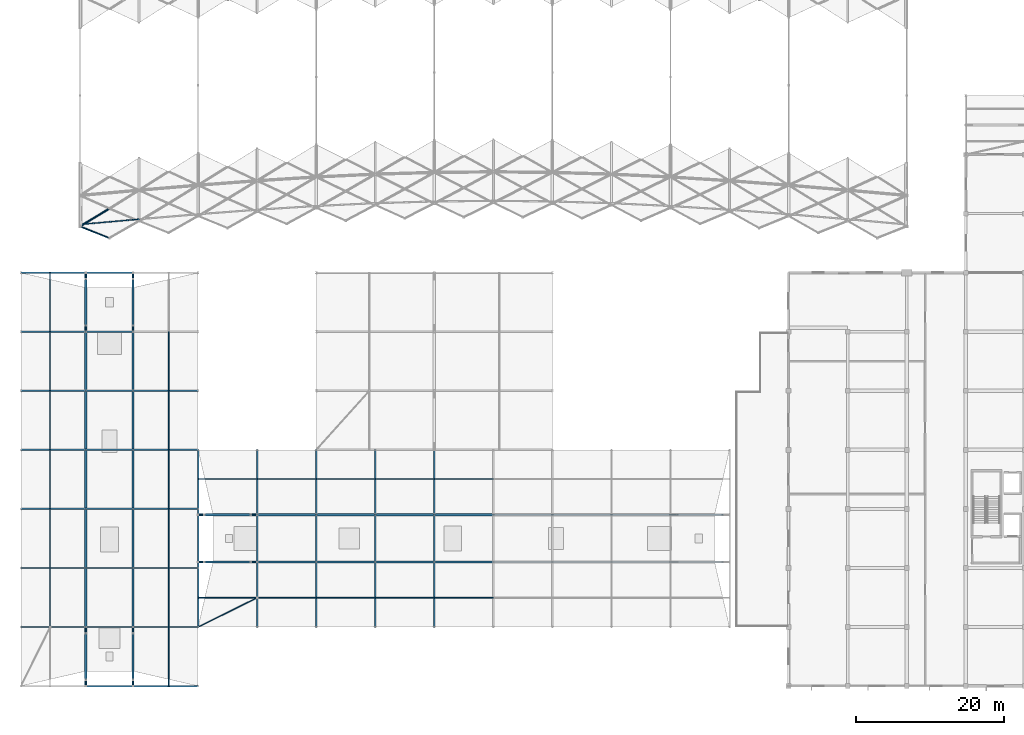
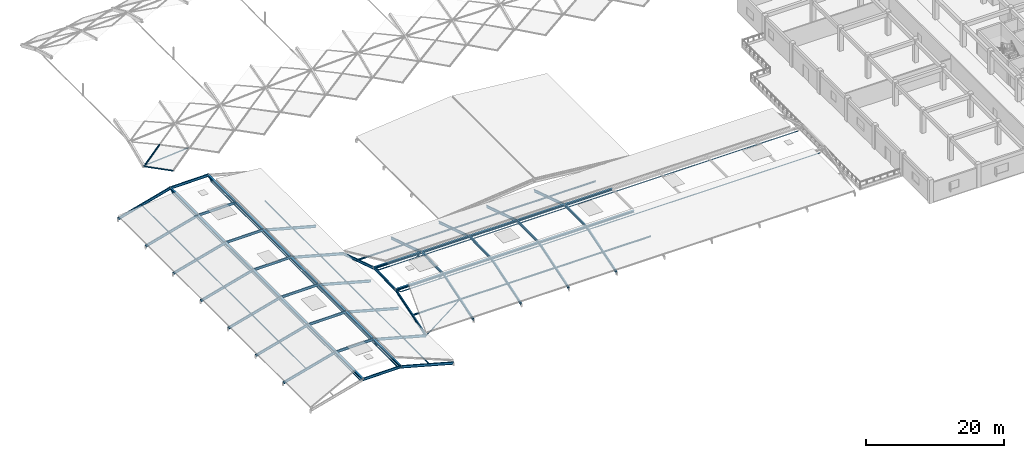
# One storey, part 2 of 54: 66 members, 36 beams.
"""IFC4 building model written with IfcOpenShell, lengths in metres."""

from ifc_helpers import new_model, si_unit, direction, frame, origin, origin_2d, place, context, subcontext, project, spatial, hollow_rectangle, hollow_circle, i_section, extrude, material, material_profile, profile_set, type_object, element, save


model = new_model("IFC4")

# Units and contexts
model_context = context("Model", 3, precision=1e-05, world=origin(), true_north=direction((0.0, 1.0)))
body_context = subcontext(model_context, "Body", "Model", "MODEL_VIEW")
ifc_project = project(units=[si_unit("LENGTHUNIT", "METRE"), si_unit("AREAUNIT", "SQUARE_METRE"), si_unit("VOLUMEUNIT", "CUBIC_METRE"), si_unit("PLANEANGLEUNIT", "RADIAN"), si_unit("MASSUNIT", "GRAM", prefix="KILO")], contexts=[model_context])

# Site, building, storey
site_placement = place(None, origin())
site = spatial("IfcSite", under=ifc_project, at=site_placement, CompositionType="ELEMENT")
building_placement = place(site_placement, origin())
building = spatial("IfcBuilding", under=site, at=building_placement, Name="Kenh Van Central Station", CompositionType="ELEMENT")
storey_placement = place(building_placement, frame((0.0, 0.0, 15.0)))
storey = spatial("IfcBuildingStorey", under=building, at=storey_placement, Name="L03", CompositionType="ELEMENT", Elevation=15.0)

# Beams
ifc_material_1 = material(Name="Steel S355", Category="steel")
ifc_material_profile_1 = material_profile(ifc_material_1, i_section(OverallWidth=0.18994140625, OverallDepth=0.449951171875, WebThickness=0.009521484375, FlangeThickness=0.0146484375, FilletRadius=0.02099609375, at=origin_2d()), Name="IPE 450")
ifc_profile_set_1 = profile_set([ifc_material_profile_1], Name="Steel S355")
beam_type = type_object("IfcBeamType", Name="BM-STL-IPE450", PredefinedType="BEAM", material=ifc_profile_set_1)
beam_1_placement = place(storey_placement, frame((48.0, 16.0, -0.501708984375), z_axis=(0.0, 0.952924738396, 0.30320693091), x_axis=(-1.0, 0.0, 0.0)))
element("IfcBeam", 1, at=beam_1_placement, inside=storey, type_object=beam_type, Name="L03 roof rafter 042", PredefinedType="BEAM", context=body_context, shape_type="SweptSolid", body=[
    extrude(i_section(OverallWidth=0.18994140625, OverallDepth=0.449951171875, WebThickness=0.009521484375, FlangeThickness=0.0146484375, FilletRadius=0.02099609375, at=origin_2d()), origin(), (0.0, 0.0, 1.0), 9.23486328125),
])
beam_2_placement = place(storey_placement, frame((48.0, 24.800048828125, 2.29833984375), z_axis=(0.0, 0.999937113546, 0.011214675799), x_axis=(-1.0, 0.0, 0.0)))
element("IfcBeam", 2, at=beam_2_placement, inside=storey, type_object=beam_type, Name="L03 roof rafter 043", PredefinedType="BEAM", context=body_context, shape_type="SweptSolid", body=[
    extrude(i_section(OverallWidth=0.18994140625, OverallDepth=0.449951171875, WebThickness=0.009521484375, FlangeThickness=0.0146484375, FilletRadius=0.02099609375, at=origin_2d()), origin(), (0.0, 0.0, 1.0), 6.400390625),
])
for number, where, z_axis, x_axis, name in (
    (3, (48.0, 31.199951171875, 2.29833984375), (0.0, 0.952924738396, -0.30320693091), (-1.0, 0.0, 0.0), "L03 roof rafter 044"),
    (4, (56.0, 16.0, -0.501708984375), (0.0, 0.952924738396, 0.30320693091), (-1.0, 0.0, 0.0), "L03 roof rafter 045"),
):
    element("IfcBeam", number, at=place(storey_placement, frame(where, z_axis=z_axis, x_axis=x_axis)), inside=storey, type_object=beam_type, Name=name, PredefinedType="BEAM", context=body_context, shape_type="SweptSolid", body=[
        extrude(i_section(OverallWidth=0.18994140625, OverallDepth=0.449951171875, WebThickness=0.009521484375, FlangeThickness=0.0146484375, FilletRadius=0.02099609375, at=origin_2d()), origin(), (0.0, 0.0, 1.0), 9.23486328125),
    ])
beam_3_placement = place(storey_placement, frame((56.0, 24.800048828125, 2.29833984375), z_axis=(0.0, 0.999937113546, 0.011214675799), x_axis=(-1.0, 0.0, 0.0)))
element("IfcBeam", 5, at=beam_3_placement, inside=storey, type_object=beam_type, Name="L03 roof rafter 046", PredefinedType="BEAM", context=body_context, shape_type="SweptSolid", body=[
    extrude(i_section(OverallWidth=0.18994140625, OverallDepth=0.449951171875, WebThickness=0.009521484375, FlangeThickness=0.0146484375, FilletRadius=0.02099609375, at=origin_2d()), origin(), (0.0, 0.0, 1.0), 6.400390625),
])
for number, where, z_axis, x_axis, name in (
    (6, (56.0, 31.199951171875, 2.29833984375), (0.0, 0.952924738396, -0.30320693091), (-1.0, 0.0, 0.0), "L03 roof rafter 047"),
    (7, (64.0, 16.0, -0.501708984375), (0.0, 0.952924738396, 0.30320693091), (-1.0, 0.0, 0.0), "L03 roof rafter 048"),
):
    element("IfcBeam", number, at=place(storey_placement, frame(where, z_axis=z_axis, x_axis=x_axis)), inside=storey, type_object=beam_type, Name=name, PredefinedType="BEAM", context=body_context, shape_type="SweptSolid", body=[
        extrude(i_section(OverallWidth=0.18994140625, OverallDepth=0.449951171875, WebThickness=0.009521484375, FlangeThickness=0.0146484375, FilletRadius=0.02099609375, at=origin_2d()), origin(), (0.0, 0.0, 1.0), 9.23486328125),
    ])
beam_4_placement = place(storey_placement, frame((64.0, 24.800048828125, 2.29833984375), z_axis=(0.0, 0.999937113546, 0.011214675799), x_axis=(-1.0, 0.0, 0.0)))
element("IfcBeam", 8, at=beam_4_placement, inside=storey, type_object=beam_type, Name="L03 roof rafter 049", PredefinedType="BEAM", context=body_context, shape_type="SweptSolid", body=[
    extrude(i_section(OverallWidth=0.18994140625, OverallDepth=0.449951171875, WebThickness=0.009521484375, FlangeThickness=0.0146484375, FilletRadius=0.02099609375, at=origin_2d()), origin(), (0.0, 0.0, 1.0), 6.400390625),
])
for number, where, z_axis, x_axis, name in (
    (9, (64.0, 31.199951171875, 2.29833984375), (0.0, 0.952924738396, -0.30320693091), (-1.0, 0.0, 0.0), "L03 roof rafter 050"),
    (10, (72.0, 16.0, -0.501708984375), (0.0, 0.952924738396, 0.30320693091), (-1.0, 0.0, 0.0), "L03 roof rafter 051"),
):
    element("IfcBeam", number, at=place(storey_placement, frame(where, z_axis=z_axis, x_axis=x_axis)), inside=storey, type_object=beam_type, Name=name, PredefinedType="BEAM", context=body_context, shape_type="SweptSolid", body=[
        extrude(i_section(OverallWidth=0.18994140625, OverallDepth=0.449951171875, WebThickness=0.009521484375, FlangeThickness=0.0146484375, FilletRadius=0.02099609375, at=origin_2d()), origin(), (0.0, 0.0, 1.0), 9.23486328125),
    ])
beam_5_placement = place(storey_placement, frame((72.0, 24.800048828125, 2.29833984375), z_axis=(0.0, 0.999937113546, 0.011214675799), x_axis=(-1.0, 0.0, 0.0)))
element("IfcBeam", 11, at=beam_5_placement, inside=storey, type_object=beam_type, Name="L03 roof rafter 052", PredefinedType="BEAM", context=body_context, shape_type="SweptSolid", body=[
    extrude(i_section(OverallWidth=0.18994140625, OverallDepth=0.449951171875, WebThickness=0.009521484375, FlangeThickness=0.0146484375, FilletRadius=0.02099609375, at=origin_2d()), origin(), (0.0, 0.0, 1.0), 6.400390625),
])
for number, where, z_axis, x_axis, name in (
    (12, (72.0, 31.199951171875, 2.29833984375), (0.0, 0.952924738396, -0.30320693091), (-1.0, 0.0, 0.0), "L03 roof rafter 053"),
    (13, (80.0, 16.0, -0.501708984375), (0.0, 0.952924738396, 0.30320693091), (-1.0, 0.0, 0.0), "L03 roof rafter 054"),
):
    element("IfcBeam", number, at=place(storey_placement, frame(where, z_axis=z_axis, x_axis=x_axis)), inside=storey, type_object=beam_type, Name=name, PredefinedType="BEAM", context=body_context, shape_type="SweptSolid", body=[
        extrude(i_section(OverallWidth=0.18994140625, OverallDepth=0.449951171875, WebThickness=0.009521484375, FlangeThickness=0.0146484375, FilletRadius=0.02099609375, at=origin_2d()), origin(), (0.0, 0.0, 1.0), 9.23486328125),
    ])
beam_6_placement = place(storey_placement, frame((80.0, 24.800048828125, 2.29833984375), z_axis=(0.0, 0.999937113546, 0.011214675799), x_axis=(-1.0, 0.0, 0.0)))
element("IfcBeam", 14, at=beam_6_placement, inside=storey, type_object=beam_type, Name="L03 roof rafter 055", PredefinedType="BEAM", context=body_context, shape_type="SweptSolid", body=[
    extrude(i_section(OverallWidth=0.18994140625, OverallDepth=0.449951171875, WebThickness=0.009521484375, FlangeThickness=0.0146484375, FilletRadius=0.02099609375, at=origin_2d()), origin(), (0.0, 0.0, 1.0), 6.400390625),
])
beam_7_placement = place(storey_placement, frame((80.0, 31.199951171875, 2.29833984375), z_axis=(0.0, 0.952924738396, -0.30320693091), x_axis=(-1.0, 0.0, 0.0)))
element("IfcBeam", 15, at=beam_7_placement, inside=storey, type_object=beam_type, Name="L03 roof rafter 056", PredefinedType="BEAM", context=body_context, shape_type="SweptSolid", body=[
    extrude(i_section(OverallWidth=0.18994140625, OverallDepth=0.449951171875, WebThickness=0.009521484375, FlangeThickness=0.0146484375, FilletRadius=0.02099609375, at=origin_2d()), origin(), (0.0, 0.0, 1.0), 9.23486328125),
])
beam_8_placement = place(storey_placement, frame((32.800048828125, 8.0, 1.91943359375), z_axis=(0.999947352994, 0.0, 0.010261151978), x_axis=(0.0, 1.0, 0.0)))
element("IfcBeam", 16, at=beam_8_placement, inside=storey, type_object=beam_type, Name="L03 roof rafter 098", PredefinedType="BEAM", context=body_context, shape_type="SweptSolid", body=[
    extrude(i_section(OverallWidth=0.18994140625, OverallDepth=0.449951171875, WebThickness=0.009521484375, FlangeThickness=0.0146484375, FilletRadius=0.02099609375, at=origin_2d()), origin(), (0.0, 0.0, 1.0), 6.400146484375),
])
for number, where, z_axis, x_axis, name in (
    (17, (39.199951171875, 8.0, 1.91943359375), (0.964766909512, 0.0, -0.263106081856), (0.0, 1.0, 0.0), "L03 roof rafter 099"),
    (18, (24.0, 16.0, -0.48046875), (0.964766909512, 0.0, 0.263106081856), (0.0, 1.0, 0.0), "L03 roof rafter 100"),
):
    element("IfcBeam", number, at=place(storey_placement, frame(where, z_axis=z_axis, x_axis=x_axis)), inside=storey, type_object=beam_type, Name=name, PredefinedType="BEAM", context=body_context, shape_type="SweptSolid", body=[
        extrude(i_section(OverallWidth=0.18994140625, OverallDepth=0.449951171875, WebThickness=0.009521484375, FlangeThickness=0.0146484375, FilletRadius=0.02099609375, at=origin_2d()), origin(), (0.0, 0.0, 1.0), 9.121337890625),
    ])
beam_9_placement = place(storey_placement, frame((32.800048828125, 16.0, 1.91943359375), z_axis=(0.999947352994, 0.0, 0.010261151978), x_axis=(0.0, 1.0, 0.0)))
element("IfcBeam", 19, at=beam_9_placement, inside=storey, type_object=beam_type, Name="L03 roof rafter 101", PredefinedType="BEAM", context=body_context, shape_type="SweptSolid", body=[
    extrude(i_section(OverallWidth=0.18994140625, OverallDepth=0.449951171875, WebThickness=0.009521484375, FlangeThickness=0.0146484375, FilletRadius=0.02099609375, at=origin_2d()), origin(), (0.0, 0.0, 1.0), 6.400146484375),
])
for number, where, z_axis, x_axis, name in (
    (20, (39.199951171875, 16.0, 1.91943359375), (0.964766909512, 0.0, -0.263106081856), (0.0, 1.0, 0.0), "L03 roof rafter 102"),
    (21, (24.0, 24.0, -0.48046875), (0.964766909512, 0.0, 0.263106081856), (0.0, 1.0, 0.0), "L03 roof rafter 103"),
):
    element("IfcBeam", number, at=place(storey_placement, frame(where, z_axis=z_axis, x_axis=x_axis)), inside=storey, type_object=beam_type, Name=name, PredefinedType="BEAM", context=body_context, shape_type="SweptSolid", body=[
        extrude(i_section(OverallWidth=0.18994140625, OverallDepth=0.449951171875, WebThickness=0.009521484375, FlangeThickness=0.0146484375, FilletRadius=0.02099609375, at=origin_2d()), origin(), (0.0, 0.0, 1.0), 9.121337890625),
    ])
beam_10_placement = place(storey_placement, frame((32.800048828125, 24.0, 1.91943359375), z_axis=(0.999947352994, 0.0, 0.010261151978), x_axis=(0.0, 1.0, 0.0)))
element("IfcBeam", 22, at=beam_10_placement, inside=storey, type_object=beam_type, Name="L03 roof rafter 104", PredefinedType="BEAM", context=body_context, shape_type="SweptSolid", body=[
    extrude(i_section(OverallWidth=0.18994140625, OverallDepth=0.449951171875, WebThickness=0.009521484375, FlangeThickness=0.0146484375, FilletRadius=0.02099609375, at=origin_2d()), origin(), (0.0, 0.0, 1.0), 6.400146484375),
])
for number, where, z_axis, x_axis, name in (
    (23, (39.199951171875, 24.0, 1.91943359375), (0.964766909512, 0.0, -0.263106081856), (0.0, 1.0, 0.0), "L03 roof rafter 105"),
    (24, (24.0, 32.0, -0.48046875), (0.964766909512, 0.0, 0.263106081856), (0.0, 1.0, 0.0), "L03 roof rafter 106"),
):
    element("IfcBeam", number, at=place(storey_placement, frame(where, z_axis=z_axis, x_axis=x_axis)), inside=storey, type_object=beam_type, Name=name, PredefinedType="BEAM", context=body_context, shape_type="SweptSolid", body=[
        extrude(i_section(OverallWidth=0.18994140625, OverallDepth=0.449951171875, WebThickness=0.009521484375, FlangeThickness=0.0146484375, FilletRadius=0.02099609375, at=origin_2d()), origin(), (0.0, 0.0, 1.0), 9.121337890625),
    ])
beam_11_placement = place(storey_placement, frame((32.800048828125, 32.0, 1.91943359375), z_axis=(0.999947352994, 0.0, 0.010261151978), x_axis=(0.0, 1.0, 0.0)))
element("IfcBeam", 25, at=beam_11_placement, inside=storey, type_object=beam_type, Name="L03 roof rafter 107", PredefinedType="BEAM", context=body_context, shape_type="SweptSolid", body=[
    extrude(i_section(OverallWidth=0.18994140625, OverallDepth=0.449951171875, WebThickness=0.009521484375, FlangeThickness=0.0146484375, FilletRadius=0.02099609375, at=origin_2d()), origin(), (0.0, 0.0, 1.0), 6.400146484375),
])
for number, where, z_axis, x_axis, name in (
    (26, (39.199951171875, 32.0, 1.91943359375), (0.964766909512, 0.0, -0.263106081856), (0.0, 1.0, 0.0), "L03 roof rafter 108"),
    (27, (24.0, 40.0, -0.48046875), (0.964766909512, 0.0, 0.263106081856), (0.0, 1.0, 0.0), "L03 roof rafter 109"),
):
    element("IfcBeam", number, at=place(storey_placement, frame(where, z_axis=z_axis, x_axis=x_axis)), inside=storey, type_object=beam_type, Name=name, PredefinedType="BEAM", context=body_context, shape_type="SweptSolid", body=[
        extrude(i_section(OverallWidth=0.18994140625, OverallDepth=0.449951171875, WebThickness=0.009521484375, FlangeThickness=0.0146484375, FilletRadius=0.02099609375, at=origin_2d()), origin(), (0.0, 0.0, 1.0), 9.121337890625),
    ])
beam_12_placement = place(storey_placement, frame((32.800048828125, 40.0, 1.91943359375), z_axis=(0.999947352994, 0.0, 0.010261151978), x_axis=(0.0, 1.0, 0.0)))
element("IfcBeam", 28, at=beam_12_placement, inside=storey, type_object=beam_type, Name="L03 roof rafter 110", PredefinedType="BEAM", context=body_context, shape_type="SweptSolid", body=[
    extrude(i_section(OverallWidth=0.18994140625, OverallDepth=0.449951171875, WebThickness=0.009521484375, FlangeThickness=0.0146484375, FilletRadius=0.02099609375, at=origin_2d()), origin(), (0.0, 0.0, 1.0), 6.400146484375),
])
for number, where, z_axis, x_axis, name in (
    (29, (39.199951171875, 40.0, 1.91943359375), (0.964766909512, 0.0, -0.263106081856), (0.0, 1.0, 0.0), "L03 roof rafter 111"),
    (30, (24.0, 48.0, -0.48046875), (0.964766909512, 0.0, 0.263106081856), (0.0, 1.0, 0.0), "L03 roof rafter 112"),
):
    element("IfcBeam", number, at=place(storey_placement, frame(where, z_axis=z_axis, x_axis=x_axis)), inside=storey, type_object=beam_type, Name=name, PredefinedType="BEAM", context=body_context, shape_type="SweptSolid", body=[
        extrude(i_section(OverallWidth=0.18994140625, OverallDepth=0.449951171875, WebThickness=0.009521484375, FlangeThickness=0.0146484375, FilletRadius=0.02099609375, at=origin_2d()), origin(), (0.0, 0.0, 1.0), 9.121337890625),
    ])
beam_13_placement = place(storey_placement, frame((32.800048828125, 48.0, 1.91943359375), z_axis=(0.999947352994, 0.0, 0.010261151978), x_axis=(0.0, 1.0, 0.0)))
element("IfcBeam", 31, at=beam_13_placement, inside=storey, type_object=beam_type, Name="L03 roof rafter 113", PredefinedType="BEAM", context=body_context, shape_type="SweptSolid", body=[
    extrude(i_section(OverallWidth=0.18994140625, OverallDepth=0.449951171875, WebThickness=0.009521484375, FlangeThickness=0.0146484375, FilletRadius=0.02099609375, at=origin_2d()), origin(), (0.0, 0.0, 1.0), 6.400146484375),
])
for number, where, z_axis, x_axis, name in (
    (32, (39.199951171875, 48.0, 1.91943359375), (0.964766909512, 0.0, -0.263106081856), (0.0, 1.0, 0.0), "L03 roof rafter 114"),
    (33, (24.0, 56.0, -0.48046875), (0.964766909512, 0.0, 0.263106081856), (0.0, 1.0, 0.0), "L03 roof rafter 115"),
):
    element("IfcBeam", number, at=place(storey_placement, frame(where, z_axis=z_axis, x_axis=x_axis)), inside=storey, type_object=beam_type, Name=name, PredefinedType="BEAM", context=body_context, shape_type="SweptSolid", body=[
        extrude(i_section(OverallWidth=0.18994140625, OverallDepth=0.449951171875, WebThickness=0.009521484375, FlangeThickness=0.0146484375, FilletRadius=0.02099609375, at=origin_2d()), origin(), (0.0, 0.0, 1.0), 9.121337890625),
    ])
beam_14_placement = place(storey_placement, frame((32.800048828125, 56.0, 1.91943359375), z_axis=(0.999947352994, 0.0, 0.010261151978), x_axis=(0.0, 1.0, 0.0)))
element("IfcBeam", 34, at=beam_14_placement, inside=storey, type_object=beam_type, Name="L03 roof rafter 116", PredefinedType="BEAM", context=body_context, shape_type="SweptSolid", body=[
    extrude(i_section(OverallWidth=0.18994140625, OverallDepth=0.449951171875, WebThickness=0.009521484375, FlangeThickness=0.0146484375, FilletRadius=0.02099609375, at=origin_2d()), origin(), (0.0, 0.0, 1.0), 6.400146484375),
])
beam_15_placement = place(storey_placement, frame((24.0, 64.0, -0.48046875), z_axis=(0.964766909512, 0.0, 0.263106081856), x_axis=(0.0, 1.0, 0.0)))
element("IfcBeam", 35, at=beam_15_placement, inside=storey, type_object=beam_type, Name="L03 roof rafter 118", PredefinedType="BEAM", context=body_context, shape_type="SweptSolid", body=[
    extrude(i_section(OverallWidth=0.18994140625, OverallDepth=0.449951171875, WebThickness=0.009521484375, FlangeThickness=0.0146484375, FilletRadius=0.02099609375, at=origin_2d()), origin(), (0.0, 0.0, 1.0), 9.121337890625),
])
beam_16_placement = place(storey_placement, frame((32.800048828125, 64.0, 1.91943359375), z_axis=(0.999947352994, 0.0, 0.010261151978), x_axis=(0.0, 1.0, 0.0)))
element("IfcBeam", 36, at=beam_16_placement, inside=storey, type_object=beam_type, Name="L03 roof rafter 119", PredefinedType="BEAM", context=body_context, shape_type="SweptSolid", body=[
    extrude(i_section(OverallWidth=0.18994140625, OverallDepth=0.449951171875, WebThickness=0.009521484375, FlangeThickness=0.0146484375, FilletRadius=0.02099609375, at=origin_2d()), origin(), (0.0, 0.0, 1.0), 6.400146484375),
])

# Members
ifc_material_profile_2 = material_profile(ifc_material_1, i_section(OverallWidth=0.10009765625, OverallDepth=0.199951171875, WebThickness=0.005615234375, FlangeThickness=0.008544921875, FilletRadius=0.011962890625, at=origin_2d()), Name="IPE 200")
ifc_profile_set_2 = profile_set([ifc_material_profile_2], Name="Steel S355")
member_type_1 = type_object("IfcMemberType", Name="MEM-PUR-IPE200", PredefinedType="PURLIN", material=ifc_profile_set_2)
for number, where, z_axis, x_axis, name in (
    (37, (48.0, 19.9599609375, 0.75830078125), (1.0, 0.0, 0.0), (0.0, 1.0, 0.0), "L03 roof purlin 015"),
    (38, (56.0, 19.9599609375, 0.75830078125), (1.0, 0.0, 0.0), (0.0, 1.0, 0.0), "L03 roof purlin 016"),
    (39, (64.0, 19.9599609375, 0.75830078125), (1.0, 0.0, 0.0), (0.0, 1.0, 0.0), "L03 roof purlin 017"),
    (40, (72.0, 19.9599609375, 0.75830078125), (1.0, 0.0, 0.0), (0.0, 1.0, 0.0), "L03 roof purlin 018"),
    (41, (80.0, 19.9599609375, 0.75830078125), (1.0, 0.0, 0.0), (0.0, 1.0, 0.0), "L03 roof purlin 019"),
    (42, (48.0, 36.0400390625, 0.75830078125), (1.0, 0.0, 0.0), (0.0, 1.0, 0.0), "L03 roof purlin 024"),
    (43, (56.0, 36.0400390625, 0.75830078125), (1.0, 0.0, 0.0), (0.0, 1.0, 0.0), "L03 roof purlin 025"),
    (44, (64.0, 36.0400390625, 0.75830078125), (1.0, 0.0, 0.0), (0.0, 1.0, 0.0), "L03 roof purlin 026"),
    (45, (72.0, 36.0400390625, 0.75830078125), (1.0, 0.0, 0.0), (0.0, 1.0, 0.0), "L03 roof purlin 027"),
    (46, (80.0, 36.0400390625, 0.75830078125), (1.0, 0.0, 0.0), (0.0, 1.0, 0.0), "L03 roof purlin 028"),
    (47, (27.9599609375, 16.0, 0.599609375), (0.0, 1.0, 0.0), (-1.0, 0.0, 0.0), "L03 roof purlin 040"),
    (48, (27.9599609375, 24.0, 0.599609375), (0.0, 1.0, 0.0), (-1.0, 0.0, 0.0), "L03 roof purlin 041"),
    (49, (27.9599609375, 32.0, 0.599609375), (0.0, 1.0, 0.0), (-1.0, 0.0, 0.0), "L03 roof purlin 042"),
    (50, (27.9599609375, 40.0, 0.599609375), (0.0, 1.0, 0.0), (-1.0, 0.0, 0.0), "L03 roof purlin 043"),
    (51, (27.9599609375, 48.0, 0.599609375), (0.0, 1.0, 0.0), (-1.0, 0.0, 0.0), "L03 roof purlin 044"),
    (52, (27.9599609375, 56.0, 0.599609375), (0.0, 1.0, 0.0), (-1.0, 0.0, 0.0), "L03 roof purlin 045"),
    (53, (44.0400390625, 8.0, 0.599609375), (0.0, 1.0, 0.0), (-1.0, 0.0, 0.0), "L03 roof purlin 046"),
    (54, (44.0400390625, 16.0, 0.599609375), (0.0, 1.0, 0.0), (-1.0, 0.0, 0.0), "L03 roof purlin 047"),
    (55, (44.0400390625, 24.0, 0.599609375), (0.0, 1.0, 0.0), (-1.0, 0.0, 0.0), "L03 roof purlin 048"),
    (56, (44.0400390625, 32.0, 0.599609375), (0.0, 1.0, 0.0), (-1.0, 0.0, 0.0), "L03 roof purlin 049"),
    (57, (44.0400390625, 40.0, 0.599609375), (0.0, 1.0, 0.0), (-1.0, 0.0, 0.0), "L03 roof purlin 050"),
    (58, (44.0400390625, 48.0, 0.599609375), (0.0, 1.0, 0.0), (-1.0, 0.0, 0.0), "L03 roof purlin 051"),
):
    element("IfcMember", number, at=place(storey_placement, frame(where, z_axis=z_axis, x_axis=x_axis)), inside=storey, type_object=member_type_1, Name=name, PredefinedType="PURLIN", context=body_context, shape_type="SweptSolid", body=[
        extrude(i_section(OverallWidth=0.10009765625, OverallDepth=0.199951171875, WebThickness=0.005615234375, FlangeThickness=0.008544921875, FilletRadius=0.011962890625, at=origin_2d()), origin(), (0.0, 0.0, 1.0), 8.0),
    ])
ifc_material_2 = material(Name="White fluoropolymer structural steel S355", Category="steel")
ifc_material_profile_3 = material_profile(ifc_material_2, hollow_rectangle(XDim=0.10009765625, YDim=0.199951171875, WallThickness=0.008056640625, InnerFilletRadius=0.008056640625, OuterFilletRadius=0.01611328125, at=origin_2d()), Name="RHS 200x100x8")
ifc_profile_set_3 = profile_set([ifc_material_profile_3], Name="White fluoropolymer structural steel S355")
member_type_2 = type_object("IfcMemberType", Name="MEM-PUR-RHS200", PredefinedType="PURLIN", material=ifc_profile_set_3)
member_1_placement = place(storey_placement, frame((32.0, 70.53271484375, 2.13330078125), z_axis=(0.99606113461, 0.088669138478, 0.0), x_axis=(-0.088669138478, 0.99606113461, 0.0)))
element("IfcMember", 59, at=member_1_placement, inside=storey, type_object=member_type_2, Name="Vault longitudinal purlin 001", PredefinedType="PURLIN", context=body_context, shape_type="SweptSolid", body=[
    extrude(hollow_rectangle(XDim=0.10009765625, YDim=0.199951171875, WallThickness=0.008056640625, InnerFilletRadius=0.008056640625, OuterFilletRadius=0.01611328125, at=origin_2d()), origin(), (0.0, 0.0, 1.0), 8.03173828125),
])
ifc_material_profile_4 = material_profile(ifc_material_1, hollow_circle(Radius=0.084228515625, WallThickness=0.008056640625, at=origin_2d()), Name="CHS 168.3x8")
ifc_profile_set_4 = profile_set([ifc_material_profile_4], Name="Steel S355")
member_type_3 = type_object("IfcMemberType", Name="MEM-ROOF-BRC168", PredefinedType="BRACE", material=ifc_profile_set_4)
member_2_placement = place(storey_placement, frame((48.0, 16.0, -0.501708984375), z_axis=(0.887417023341, 0.439267093463, 0.139769264449), x_axis=(-0.443621638924, 0.896214171657, 0.0)))
element("IfcMember", 60, at=member_2_placement, inside=storey, type_object=member_type_3, Name="L03 roof wind brace 007", PredefinedType="BRACE", context=body_context, shape_type="SweptSolid", body=[
    extrude(hollow_circle(Radius=0.084228515625, WallThickness=0.008056640625, at=origin_2d()), origin(), (0.0, 0.0, 1.0), 9.014892578125),
])
member_3_placement = place(storey_placement, frame((48.85009765625, 24.800048828125, 1.67822265625), z_axis=(1.0, 0.0, 0.0), x_axis=(0.0, 1.0, 0.0)))
element("IfcMember", 61, at=member_3_placement, inside=storey, type_object=member_type_3, Name="L03 roof truss lower chord 008", PredefinedType="BRACE", context=body_context, shape_type="SweptSolid", body=[
    extrude(hollow_circle(Radius=0.084228515625, WallThickness=0.008056640625, at=origin_2d()), origin(), (0.0, 0.0, 1.0), 70.2998046875),
])
for number, where, z_axis, x_axis, name in (
    (62, (48.85009765625, 24.800048828125, 1.67822265625), (-0.807892458304, 0.0, 0.589329937993), (0.0, -1.0, 0.0), "L03 roof truss web diagonal 009"),
    (63, (55.14990234375, 24.800048828125, 1.67822265625), (0.807892458304, 0.0, 0.589329937993), (0.0, 1.0, 0.0), "L03 roof truss web diagonal 010"),
):
    element("IfcMember", number, at=place(storey_placement, frame(where, z_axis=z_axis, x_axis=x_axis)), inside=storey, type_object=member_type_3, Name=name, PredefinedType="BRACE", context=body_context, shape_type="SweptSolid", body=[
        extrude(hollow_circle(Radius=0.084228515625, WallThickness=0.008056640625, at=origin_2d()), origin(), (0.0, 0.0, 1.0), 1.05224609375),
    ])
member_4_placement = place(storey_placement, frame((48.85009765625, 31.199951171875, 1.67822265625), z_axis=(1.0, 0.0, 0.0), x_axis=(0.0, 1.0, 0.0)))
element("IfcMember", 64, at=member_4_placement, inside=storey, type_object=member_type_3, Name="L03 roof truss lower chord 013", PredefinedType="BRACE", context=body_context, shape_type="SweptSolid", body=[
    extrude(hollow_circle(Radius=0.084228515625, WallThickness=0.008056640625, at=origin_2d()), origin(), (0.0, 0.0, 1.0), 70.2998046875),
])
for number, where, z_axis, x_axis, name in (
    (65, (48.85009765625, 31.199951171875, 1.67822265625), (-0.807892458304, 0.0, 0.589329937993), (0.0, -1.0, 0.0), "L03 roof truss web diagonal 014"),
    (66, (55.14990234375, 31.199951171875, 1.67822265625), (0.807892458304, 0.0, 0.589329937993), (0.0, 1.0, 0.0), "L03 roof truss web diagonal 015"),
):
    element("IfcMember", number, at=place(storey_placement, frame(where, z_axis=z_axis, x_axis=x_axis)), inside=storey, type_object=member_type_3, Name=name, PredefinedType="BRACE", context=body_context, shape_type="SweptSolid", body=[
        extrude(hollow_circle(Radius=0.084228515625, WallThickness=0.008056640625, at=origin_2d()), origin(), (0.0, 0.0, 1.0), 1.05224609375),
    ])
member_5_placement = place(storey_placement, frame((32.800048828125, 8.85009765625, 1.299560546875), z_axis=(0.0, 1.0, 0.0), x_axis=(-1.0, 0.0, 0.0)))
element("IfcMember", 67, at=member_5_placement, inside=storey, type_object=member_type_3, Name="L03 roof truss lower chord 025", PredefinedType="BRACE", context=body_context, shape_type="SweptSolid", body=[
    extrude(hollow_circle(Radius=0.084228515625, WallThickness=0.008056640625, at=origin_2d()), origin(), (0.0, 0.0, 1.0), 54.2998046875),
])
for number, where, z_axis, x_axis, name in (
    (68, (32.800048828125, 8.85009765625, 1.299560546875), (0.0, -0.808002927302, 0.589178469966), (1.0, 0.0, 0.0), "L03 roof truss web diagonal 026"),
    (69, (32.800048828125, 15.14990234375, 1.299560546875), (0.0, 0.808002927302, 0.589178469966), (-1.0, 0.0, 0.0), "L03 roof truss web diagonal 027"),
    (70, (32.800048828125, 56.85009765625, 1.299560546875), (0.0, -0.808002927302, 0.589178469966), (1.0, 0.0, 0.0), "L03 roof truss web diagonal 028"),
    (71, (32.800048828125, 63.14990234375, 1.299560546875), (0.0, 0.808002927302, 0.589178469966), (-1.0, 0.0, 0.0), "L03 roof truss web diagonal 029"),
):
    element("IfcMember", number, at=place(storey_placement, frame(where, z_axis=z_axis, x_axis=x_axis)), inside=storey, type_object=member_type_3, Name=name, PredefinedType="BRACE", context=body_context, shape_type="SweptSolid", body=[
        extrude(hollow_circle(Radius=0.084228515625, WallThickness=0.008056640625, at=origin_2d()), origin(), (0.0, 0.0, 1.0), 1.052001953125),
    ])
member_6_placement = place(storey_placement, frame((39.199951171875, 8.85009765625, 1.299560546875), z_axis=(0.0, 1.0, 0.0), x_axis=(-1.0, 0.0, 0.0)))
element("IfcMember", 72, at=member_6_placement, inside=storey, type_object=member_type_3, Name="L03 roof truss lower chord 030", PredefinedType="BRACE", context=body_context, shape_type="SweptSolid", body=[
    extrude(hollow_circle(Radius=0.084228515625, WallThickness=0.008056640625, at=origin_2d()), origin(), (0.0, 0.0, 1.0), 54.2998046875),
])
for number, where, z_axis, x_axis, name in (
    (73, (39.199951171875, 8.85009765625, 1.299560546875), (0.0, -0.808002927302, 0.589178469966), (1.0, 0.0, 0.0), "L03 roof truss web diagonal 031"),
    (74, (39.199951171875, 15.14990234375, 1.299560546875), (0.0, 0.808002927302, 0.589178469966), (-1.0, 0.0, 0.0), "L03 roof truss web diagonal 032"),
    (75, (39.199951171875, 56.85009765625, 1.299560546875), (0.0, -0.808002927302, 0.589178469966), (1.0, 0.0, 0.0), "L03 roof truss web diagonal 033"),
    (76, (39.199951171875, 63.14990234375, 1.299560546875), (0.0, 0.808002927302, 0.589178469966), (-1.0, 0.0, 0.0), "L03 roof truss web diagonal 034"),
):
    element("IfcMember", number, at=place(storey_placement, frame(where, z_axis=z_axis, x_axis=x_axis)), inside=storey, type_object=member_type_3, Name=name, PredefinedType="BRACE", context=body_context, shape_type="SweptSolid", body=[
        extrude(hollow_circle(Radius=0.084228515625, WallThickness=0.008056640625, at=origin_2d()), origin(), (0.0, 0.0, 1.0), 1.052001953125),
    ])
ifc_material_profile_5 = material_profile(ifc_material_1, i_section(OverallWidth=0.300048828125, OverallDepth=0.35009765625, WebThickness=0.010009765625, FlangeThickness=0.017578125, FilletRadius=0.027099609375, at=origin_2d()), Name="HEA 360")
ifc_profile_set_5 = profile_set([ifc_material_profile_5], Name="Steel S355")
member_type_4 = type_object("IfcMemberType", Name="MEM-ROOF-HEA360", PredefinedType="CHORD", material=ifc_profile_set_5)
for number, where, z_axis, x_axis, name in (
    (77, (48.0, 24.800048828125, 2.29833984375), (1.0, 0.0, 0.0), (0.0, 1.0, 0.0), "L03 roof ridge chord 024"),
    (78, (56.0, 24.800048828125, 2.29833984375), (1.0, 0.0, 0.0), (0.0, 1.0, 0.0), "L03 roof ridge chord 025"),
    (79, (64.0, 24.800048828125, 2.29833984375), (1.0, 0.0, 0.0), (0.0, 1.0, 0.0), "L03 roof ridge chord 026"),
    (80, (72.0, 24.800048828125, 2.29833984375), (1.0, 0.0, 0.0), (0.0, 1.0, 0.0), "L03 roof ridge chord 027"),
    (81, (80.0, 24.800048828125, 2.29833984375), (1.0, 0.0, 0.0), (0.0, 1.0, 0.0), "L03 roof ridge chord 028"),
    (82, (48.0, 31.199951171875, 2.29833984375), (1.0, 0.0, 0.0), (0.0, 1.0, 0.0), "L03 roof ridge chord 033"),
    (83, (56.0, 31.199951171875, 2.29833984375), (1.0, 0.0, 0.0), (0.0, 1.0, 0.0), "L03 roof ridge chord 034"),
    (84, (64.0, 31.199951171875, 2.29833984375), (1.0, 0.0, 0.0), (0.0, 1.0, 0.0), "L03 roof ridge chord 035"),
    (85, (72.0, 31.199951171875, 2.29833984375), (1.0, 0.0, 0.0), (0.0, 1.0, 0.0), "L03 roof ridge chord 036"),
    (86, (80.0, 31.199951171875, 2.29833984375), (1.0, 0.0, 0.0), (0.0, 1.0, 0.0), "L03 roof ridge chord 037"),
    (87, (32.800048828125, 8.0, 1.91943359375), (0.0, 1.0, 0.0), (-1.0, 0.0, 0.0), "L03 roof ridge chord 083"),
    (88, (32.800048828125, 16.0, 1.91943359375), (0.0, 1.0, 0.0), (-1.0, 0.0, 0.0), "L03 roof ridge chord 084"),
    (89, (32.800048828125, 24.0, 1.91943359375), (0.0, 1.0, 0.0), (-1.0, 0.0, 0.0), "L03 roof ridge chord 085"),
    (90, (32.800048828125, 32.0, 1.91943359375), (0.0, 1.0, 0.0), (-1.0, 0.0, 0.0), "L03 roof ridge chord 086"),
    (91, (32.800048828125, 40.0, 1.91943359375), (0.0, 1.0, 0.0), (-1.0, 0.0, 0.0), "L03 roof ridge chord 087"),
    (92, (32.800048828125, 48.0, 1.91943359375), (0.0, 1.0, 0.0), (-1.0, 0.0, 0.0), "L03 roof ridge chord 088"),
    (93, (32.800048828125, 56.0, 1.91943359375), (0.0, 1.0, 0.0), (-1.0, 0.0, 0.0), "L03 roof ridge chord 089"),
    (94, (39.199951171875, 8.0, 1.91943359375), (0.0, 1.0, 0.0), (-1.0, 0.0, 0.0), "L03 roof ridge chord 090"),
    (95, (39.199951171875, 16.0, 1.91943359375), (0.0, 1.0, 0.0), (-1.0, 0.0, 0.0), "L03 roof ridge chord 091"),
    (96, (39.199951171875, 24.0, 1.91943359375), (0.0, 1.0, 0.0), (-1.0, 0.0, 0.0), "L03 roof ridge chord 092"),
    (97, (39.199951171875, 32.0, 1.91943359375), (0.0, 1.0, 0.0), (-1.0, 0.0, 0.0), "L03 roof ridge chord 093"),
    (98, (39.199951171875, 40.0, 1.91943359375), (0.0, 1.0, 0.0), (-1.0, 0.0, 0.0), "L03 roof ridge chord 094"),
    (99, (39.199951171875, 48.0, 1.91943359375), (0.0, 1.0, 0.0), (-1.0, 0.0, 0.0), "L03 roof ridge chord 095"),
    (100, (39.199951171875, 56.0, 1.91943359375), (0.0, 1.0, 0.0), (-1.0, 0.0, 0.0), "L03 roof ridge chord 096"),
):
    element("IfcMember", number, at=place(storey_placement, frame(where, z_axis=z_axis, x_axis=x_axis)), inside=storey, type_object=member_type_4, Name=name, PredefinedType="CHORD", context=body_context, shape_type="SweptSolid", body=[
        extrude(i_section(OverallWidth=0.300048828125, OverallDepth=0.35009765625, WebThickness=0.010009765625, FlangeThickness=0.017578125, FilletRadius=0.027099609375, at=origin_2d()), origin(), (0.0, 0.0, 1.0), 8.0),
    ])
ifc_material_profile_6 = material_profile(ifc_material_2, hollow_circle(Radius=0.109619140625, WallThickness=0.008056640625, at=origin_2d()), Name="CHS 219.1x8")
ifc_profile_set_6 = profile_set([ifc_material_profile_6], Name="White fluoropolymer structural steel S355")
member_type_5 = type_object("IfcMemberType", Name="MEM-VAULT-BRC219", PredefinedType="BRACE", material=ifc_profile_set_6)
member_7_placement = place(storey_placement, frame((32.0, 70.26953125, 2.228515625), z_axis=(0.89464696946, -0.35498656912, -0.271277230486), x_axis=(0.368816734101, 0.929502133751, 0.0)))
element("IfcMember", 101, at=member_7_placement, inside=storey, type_object=member_type_5, Name="Vault diamond grid member 0005", PredefinedType="BRACE", context=body_context, shape_type="SweptSolid", body=[
    extrude(hollow_circle(Radius=0.109619140625, WallThickness=0.008056640625, at=origin_2d()), origin(), (0.0, 0.0, 1.0), 4.470947265625),
])
ifc_material_profile_7 = material_profile(ifc_material_2, hollow_circle(Radius=0.136474609375, WallThickness=0.010009765625, at=origin_2d()), Name="CHS 273x10")
ifc_profile_set_7 = profile_set([ifc_material_profile_7], Name="White fluoropolymer structural steel S355")
member_type_6 = type_object("IfcMemberType", Name="MEM-VAULT-CHD273", PredefinedType="CHORD", material=ifc_profile_set_7)
member_8_placement = place(storey_placement, frame((32.0, 70.26953125, 2.228515625), z_axis=(0.836582586796, 0.505605516019, 0.210932779911), x_axis=(-0.517243193573, 0.855838465309, 0.0)))
element("IfcMember", 102, at=member_8_placement, inside=storey, type_object=member_type_6, Name="Vault diamond grid member 0004", PredefinedType="CHORD", context=body_context, shape_type="SweptSolid", body=[
    extrude(hollow_circle(Radius=0.136474609375, WallThickness=0.010009765625, at=origin_2d()), origin(), (0.0, 0.0, 1.0), 4.78125),
])

save(model, "model.ifc")
